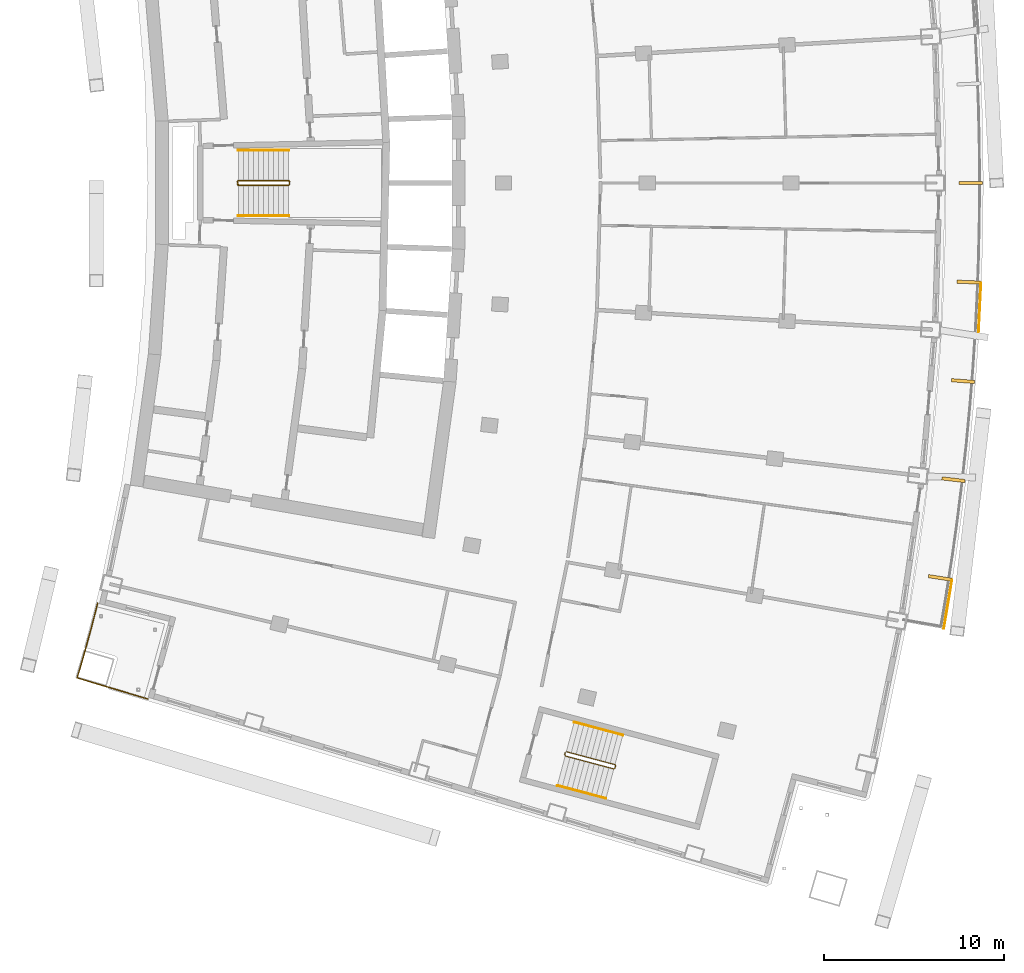
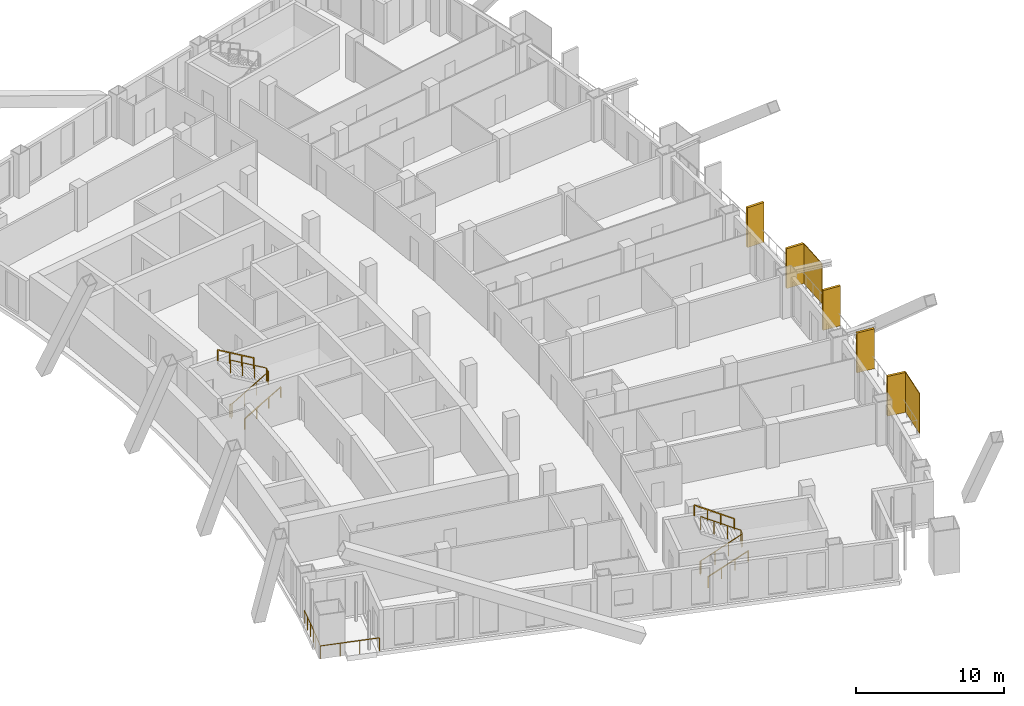
# One storey, part 18 of 20: 7 railings, 7 shading devices.
"""IFC4 building model written with IfcOpenShell, lengths in metres."""

from ifc_helpers import new_model, si_unit, direction, frame, origin, origin_with_axes, origin_2d, place, context, subcontext, project, spatial, rectangle, extrude, material, layer, layer_set, type_object, element, save


model = new_model("IFC4")

# Units and contexts
model_context = context("Model", 3, precision=1e-05, world=origin(), true_north=direction((0.0, 1.0)))
body_context = subcontext(model_context, "Body", "Model", "MODEL_VIEW")
ifc_project = project(units=[si_unit("LENGTHUNIT", "METRE"), si_unit("AREAUNIT", "SQUARE_METRE"), si_unit("VOLUMEUNIT", "CUBIC_METRE"), si_unit("PLANEANGLEUNIT", "RADIAN"), si_unit("MASSUNIT", "GRAM", prefix="KILO")], contexts=[model_context])

# Site, building, storey
site_placement = place(None, origin())
site = spatial("IfcSite", under=ifc_project, at=site_placement, CompositionType="ELEMENT")
building_placement = place(site_placement, origin())
building = spatial("IfcBuilding", under=site, at=building_placement, Name="Alderwake Tower", CompositionType="ELEMENT")
storey_placement = place(building_placement, frame((0.0, 0.0, 149.60009765625)))
storey = spatial("IfcBuildingStorey", under=building, at=storey_placement, Name="L36", CompositionType="ELEMENT", Elevation=149.60009765625)

# Railing
ifc_material_1 = material(Name="Stainless steel 316 rail and posts", Category="steel")
railing_type_1 = type_object("IfcRailingType", Name="Balcony guard 1100", PredefinedType="GUARDRAIL", material=ifc_material_1)
railing_1_placement = place(storey_placement, frame((13.210693359375, 37.612548828125, 0.0)))
element("IfcRailing", 1, at=railing_1_placement, inside=storey, type_object=railing_type_1, Name="Guard terrace RS", PredefinedType="GUARDRAIL", context=body_context, shape_type="SweptSolid", body=[
    extrude(rectangle(XDim=0.048095703125, YDim=0.048095703125, at=origin_2d()), frame((0.0, 0.0, 1.076171875), z_axis=(-0.251385381433, -0.967887075026, 0.0), x_axis=(0.967887075026, -0.251385381433, 0.0)), (0.0, 0.0, 1.0), 1.6015625),
    extrude(rectangle(XDim=0.048095703125, YDim=0.048095703125, at=origin_2d()), frame((-0.402587890625, -1.550048828125, 1.076171875), z_axis=(-0.266520638672, -0.963829211615, 0.0), x_axis=(0.963829211615, -0.266520638672, 0.0)), (0.0, 0.0, 1.0), 1.401611328125),
    extrude(rectangle(XDim=0.048095703125, YDim=0.048095703125, at=origin_2d()), frame((-0.776123046875, -2.90087890625, 1.076171875), z_axis=(-0.280093650878, -0.959972680204, 0.0), x_axis=(0.959972680204, -0.280093650878, 0.0)), (0.0, 0.0, 1.0), 1.30126953125),
    extrude(rectangle(XDim=0.048095703125, YDim=0.048095703125, at=origin_2d()), frame((-1.140625, -4.150146484375, 1.076171875), z_axis=(0.958066871889, -0.286544706789, 0.0), x_axis=(0.286544706789, 0.958066871889, 0.0)), (0.0, 0.0, 1.0), 4.099853515625),
    extrude(rectangle(XDim=0.0419921875, YDim=0.0419921875, at=origin_2d()), frame((0.0, 0.0, 0.0), z_axis=(0.0, 0.0, 1.0), x_axis=(-0.251385381433, -0.967887075026, 0.0)), (0.0, 0.0, 1.0), 1.052001953125),
    extrude(rectangle(XDim=0.0419921875, YDim=0.0419921875, at=origin_2d()), frame((-0.201171875, -0.77490234375, 0.0), z_axis=(0.0, 0.0, 1.0), x_axis=(-0.251385381433, -0.967887075026, 0.0)), (0.0, 0.0, 1.0), 1.052001953125),
    extrude(rectangle(XDim=0.0419921875, YDim=0.0419921875, at=origin_2d()), frame((-0.402587890625, -1.550048828125, 0.0), z_axis=(0.0, 0.0, 1.0), x_axis=(-0.266520638672, -0.963829211615, 0.0)), (0.0, 0.0, 1.0), 1.052001953125),
    extrude(rectangle(XDim=0.0419921875, YDim=0.0419921875, at=origin_2d()), frame((-0.58935546875, -2.2255859375, 0.0), z_axis=(0.0, 0.0, 1.0), x_axis=(-0.266520638672, -0.963829211615, 0.0)), (0.0, 0.0, 1.0), 1.052001953125),
    extrude(rectangle(XDim=0.0419921875, YDim=0.0419921875, at=origin_2d()), frame((-0.776123046875, -2.90087890625, 0.0), z_axis=(0.0, 0.0, 1.0), x_axis=(-0.280093650878, -0.959972680204, 0.0)), (0.0, 0.0, 1.0), 1.052001953125),
    extrude(rectangle(XDim=0.0419921875, YDim=0.0419921875, at=origin_2d()), frame((-1.140625, -4.150146484375, 0.0), z_axis=(0.0, 0.0, 1.0), x_axis=(0.958066871889, -0.286544706789, 0.0)), (0.0, 0.0, 1.0), 1.052001953125),
    extrude(rectangle(XDim=0.0419921875, YDim=0.0419921875, at=origin_2d()), frame((0.168701171875, -4.541748046875, 0.0), z_axis=(0.0, 0.0, 1.0), x_axis=(0.958066871889, -0.286544706789, 0.0)), (0.0, 0.0, 1.0), 1.052001953125),
    extrude(rectangle(XDim=0.0419921875, YDim=0.0419921875, at=origin_2d()), frame((1.47802734375, -4.933349609375, 0.0), z_axis=(0.0, 0.0, 1.0), x_axis=(0.958066871889, -0.286544706789, 0.0)), (0.0, 0.0, 1.0), 1.052001953125),
    extrude(rectangle(XDim=0.0419921875, YDim=0.0419921875, at=origin_2d()), frame((2.787353515625, -5.324951171875, 0.0), z_axis=(0.0, 0.0, 1.0), x_axis=(0.958066871889, -0.286544706789, 0.0)), (0.0, 0.0, 1.0), 1.052001953125),
])

# Shading devices
ifc_material_2 = material(Name="Bronze anodised aluminium", Category="aluminium")
ifc_layer_1 = layer(ifc_material_2, 0.179931640625)
ifc_layer_set_1 = layer_set([ifc_layer_1], Name="Facade fin 1300")
shading_device_type_1 = type_object("IfcShadingDeviceType", Name="Facade fin 1300", PredefinedType="USERDEFINED", material=ifc_layer_set_1)
for number, where, z_axis, x_axis, name in (
    (2, (60.0869140625, 39.02490234375, 0.0), (0.0, 0.0, 1.0), (0.987918787879, -0.154972476771, 0.0), "Fin"),
    (3, (60.83544921875, 44.489501953125, 0.0), (0.0, 0.0, 1.0), (0.993198315083, -0.116434990084, 0.0), "Fin"),
    (4, (61.37109375, 49.97900390625, 0.0), (0.0, 0.0, 1.0), (0.996975122026, -0.077721335943, 0.0), "Fin"),
    (5, (61.692626953125, 55.4853515625, 0.0), (0.0, 0.0, 1.0), (0.999243494356, -0.038890088543, 0.0), "Fin"),
    (6, (61.800048828125, 61.0, 0.0), (0.0, 0.0, 1.0), (1.0, 0.0, 0.0), "Fin"),
):
    element("IfcShadingDevice", number, at=place(storey_placement, frame(where, z_axis=z_axis, x_axis=x_axis)), inside=storey, type_object=shading_device_type_1, Name=name, ObjectType="FIN", PredefinedType="USERDEFINED", context=body_context, shape_type="SweptSolid", body=[
        extrude(rectangle(XDim=1.300048828125, YDim=0.179931640625, at=origin_2d()), origin(), (0.0, 0.0, 1.0), 3.280029296875),
    ])
ifc_material_3 = material(Name="Perforated bronze anodised aluminium", Category="aluminium")
ifc_layer_2 = layer(ifc_material_3, 0.050048828125)
ifc_layer_set_2 = layer_set([ifc_layer_2], Name="Perforated screen panel")
shading_device_type_2 = type_object("IfcShadingDeviceType", Name="Perforated screen panel", PredefinedType="USERDEFINED", material=ifc_layer_set_2)
for number, where, z_axis, x_axis, name in (
    (7, (60.5263671875, 37.55712890625, 0.0), (0.0, 0.0, 1.0), (0.986369013299, -0.164548380739, 0.0), "Screen panel"),
    (8, (62.300048828125, 54.078857421875, 0.0), (0.0, 0.0, 1.0), (0.998819231138, -0.048581308217, 0.0), "Screen panel"),
):
    element("IfcShadingDevice", number, at=place(storey_placement, frame(where, z_axis=z_axis, x_axis=x_axis)), inside=storey, type_object=shading_device_type_2, Name=name, ObjectType="SCREEN", PredefinedType="USERDEFINED", context=body_context, shape_type="SweptSolid", body=[
        extrude(rectangle(XDim=0.050048828125, YDim=2.763916015625, at=origin_2d()), origin(), (0.0, 0.0, 1.0), 3.280029296875),
    ])

# Railings
ifc_material_4 = material(Name="Stainless steel guard", Category="steel")
railing_type_2 = type_object("IfcRailingType", Name="Stair guard 1100", PredefinedType="GUARDRAIL", material=ifc_material_4)
railing_2_placement = place(storey_placement, frame((20.989990234375, 60.925048828125, 0.0)))
element("IfcRailing", 9, at=railing_2_placement, inside=storey, type_object=railing_type_2, Name="L36 ST-B stair guard 1", PredefinedType="GUARDRAIL", context=body_context, shape_type="SweptSolid", body=[
    extrude(rectangle(XDim=0.048095703125, YDim=0.048095703125, at=origin_2d()), frame((0.0, 0.0, 1.076171875), z_axis=(0.0, 1.0, 0.0), x_axis=(-1.0, 0.0, 0.0)), (0.0, 0.0, 1.0), 0.14990234375),
    extrude(rectangle(XDim=0.048095703125, YDim=0.048095703125, at=origin_2d()), frame((0.0, 0.14990234375, 1.076171875), z_axis=(0.190199549216, -0.759870394187, 0.621627795), x_axis=(0.970072785993, 0.242814311512, 0.0)), (0.0, 0.0, 1.0), 0.26318359375),
    extrude(rectangle(XDim=0.048095703125, YDim=0.048095703125, at=origin_2d()), frame((0.050048828125, -0.050048828125, 1.23974609375), z_axis=(0.863393664356, 0.0, 0.504530851732), x_axis=(0.0, 1.0, 0.0)), (0.0, 0.0, 1.0), 3.2431640625),
    extrude(rectangle(XDim=0.048095703125, YDim=0.048095703125, at=origin_2d()), frame((2.85009765625, -0.050048828125, 2.8759765625), z_axis=(0.705375805398, 0.708833529934, 0.0), x_axis=(-0.708833529934, 0.705375805398, 0.0)), (0.0, 0.0, 1.0), 0.070556640625),
    extrude(rectangle(XDim=0.048095703125, YDim=0.048095703125, at=origin_2d()), frame((2.89990234375, 0.0, 2.8759765625), z_axis=(0.0, 1.0, 0.0), x_axis=(-1.0, 0.0, 0.0)), (0.0, 0.0, 1.0), 0.14990234375),
    extrude(rectangle(XDim=0.048095703125, YDim=0.048095703125, at=origin_2d()), frame((2.89990234375, 0.14990234375, 2.8759765625), z_axis=(-0.279194930351, 0.280563532951, 0.91833234444), x_axis=(-0.708833529934, -0.705375805398, 0.0)), (0.0, 0.0, 1.0), 0.178466796875),
    extrude(rectangle(XDim=0.048095703125, YDim=0.048095703125, at=origin_2d()), frame((2.85009765625, 0.199951171875, 3.03955078125), z_axis=(-0.863393664356, 0.0, 0.504530851732), x_axis=(0.0, -1.0, 0.0)), (0.0, 0.0, 1.0), 3.2431640625),
    extrude(rectangle(XDim=0.0419921875, YDim=0.0419921875, at=origin_2d()), frame((0.0, 0.0, 0.0), z_axis=(0.0, 0.0, 1.0), x_axis=(0.0, 1.0, 0.0)), (0.0, 0.0, 1.0), 1.052001953125),
    extrude(rectangle(XDim=0.0419921875, YDim=0.0419921875, at=origin_2d()), frame((0.0, 0.14990234375, 0.0), z_axis=(0.0, 0.0, 1.0), x_axis=(0.242814311512, -0.970072785993, 0.0)), (0.0, 0.0, 1.0), 1.052001953125),
    extrude(rectangle(XDim=0.0419921875, YDim=0.0419921875, at=origin_2d()), frame((0.050048828125, -0.050048828125, 0.16357421875), z_axis=(0.0, 0.0, 1.0), x_axis=(1.0, 0.0, 0.0)), (0.0, 0.0, 1.0), 1.052001953125),
    extrude(rectangle(XDim=0.0419921875, YDim=0.0419921875, at=origin_2d()), frame((0.9833984375, -0.050048828125, 0.708984375), z_axis=(0.0, 0.0, 1.0), x_axis=(1.0, 0.0, 0.0)), (0.0, 0.0, 1.0), 1.052001953125),
    extrude(rectangle(XDim=0.0419921875, YDim=0.0419921875, at=origin_2d()), frame((1.916748046875, -0.050048828125, 1.25439453125), z_axis=(0.0, 0.0, 1.0), x_axis=(1.0, 0.0, 0.0)), (0.0, 0.0, 1.0), 1.052001953125),
    extrude(rectangle(XDim=0.0419921875, YDim=0.0419921875, at=origin_2d()), frame((2.85009765625, -0.050048828125, 1.7998046875), z_axis=(0.0, 0.0, 1.0), x_axis=(0.705375805398, 0.708833529934, 0.0)), (0.0, 0.0, 1.0), 1.052001953125),
    extrude(rectangle(XDim=0.0419921875, YDim=0.0419921875, at=origin_2d()), frame((2.89990234375, 0.0, 1.7998046875), z_axis=(0.0, 0.0, 1.0), x_axis=(0.0, 1.0, 0.0)), (0.0, 0.0, 1.0), 1.052001953125),
    extrude(rectangle(XDim=0.0419921875, YDim=0.0419921875, at=origin_2d()), frame((2.89990234375, 0.14990234375, 1.7998046875), z_axis=(0.0, 0.0, 1.0), x_axis=(-0.705375805398, 0.708833529934, 0.0)), (0.0, 0.0, 1.0), 1.052001953125),
    extrude(rectangle(XDim=0.0419921875, YDim=0.0419921875, at=origin_2d()), frame((2.85009765625, 0.199951171875, 1.963623046875), z_axis=(0.0, 0.0, 1.0), x_axis=(-1.0, 0.0, 0.0)), (0.0, 0.0, 1.0), 1.052001953125),
    extrude(rectangle(XDim=0.0419921875, YDim=0.0419921875, at=origin_2d()), frame((1.916748046875, 0.199951171875, 2.509033203125), z_axis=(0.0, 0.0, 1.0), x_axis=(-1.0, 0.0, 0.0)), (0.0, 0.0, 1.0), 1.052001953125),
    extrude(rectangle(XDim=0.0419921875, YDim=0.0419921875, at=origin_2d()), frame((0.9833984375, 0.199951171875, 3.054443359375), z_axis=(0.0, 0.0, 1.0), x_axis=(-1.0, 0.0, 0.0)), (0.0, 0.0, 1.0), 1.052001953125),
    extrude(rectangle(XDim=0.0419921875, YDim=0.0419921875, at=origin_2d()), frame((0.050048828125, 0.199951171875, 3.599853515625), z_axis=(0.0, 0.0, 1.0), x_axis=(-1.0, 0.0, 0.0)), (0.0, 0.0, 1.0), 1.052001953125),
])
railing_3_placement = place(storey_placement, frame((39.1943359375, 29.17431640625, 0.0)))
element("IfcRailing", 10, at=railing_3_placement, inside=storey, type_object=railing_type_2, Name="L36 ST-C stair guard 1", PredefinedType="GUARDRAIL", context=body_context, shape_type="SweptSolid", body=[
    extrude(rectangle(XDim=0.048095703125, YDim=0.048095703125, at=origin_2d()), frame((0.0, 0.0, 1.076171875), z_axis=(0.257459803502, 0.966289009345, 0.0), x_axis=(-0.966289009345, 0.257459803502, 0.0)), (0.0, 0.0, 1.0), 0.14990234375),
    extrude(rectangle(XDim=0.048095703125, YDim=0.048095703125, at=origin_2d()), frame((0.03857421875, 0.144775390625, 1.076171875), z_axis=(-0.012062893862, -0.783160186125, 0.621702991355), x_axis=(0.999881397308, -0.015401016783, 0.0)), (0.0, 0.0, 1.0), 0.26318359375),
    extrude(rectangle(XDim=0.048095703125, YDim=0.048095703125, at=origin_2d()), frame((0.035400390625, -0.061279296875, 1.23974609375), z_axis=(0.834313512087, -0.222222637163, 0.504517653885), x_axis=(0.257380452725, 0.966310148221, 0.0)), (0.0, 0.0, 1.0), 3.2431640625),
    extrude(rectangle(XDim=0.048095703125, YDim=0.048095703125, at=origin_2d()), frame((2.7412109375, -0.781982421875, 2.8759765625), z_axis=(0.865031189262, 0.501718089772, 0.0), x_axis=(-0.501718089772, 0.865031189262, 0.0)), (0.0, 0.0, 1.0), 0.070556640625),
    extrude(rectangle(XDim=0.048095703125, YDim=0.048095703125, at=origin_2d()), frame((2.80224609375, -0.74658203125, 2.8759765625), z_axis=(0.257055032184, 0.966396766566, 0.0), x_axis=(-0.966396766566, 0.257055032184, 0.0)), (0.0, 0.0, 1.0), 0.150146484375),
    extrude(rectangle(XDim=0.048095703125, YDim=0.048095703125, at=origin_2d()), frame((2.8408203125, -0.6015625, 2.8759765625), z_axis=(-0.198375862152, 0.343395457933, 0.918001403477), x_axis=(-0.865898279276, -0.500220121494, 0.0)), (0.0, 0.0, 1.0), 0.178466796875),
    extrude(rectangle(XDim=0.048095703125, YDim=0.048095703125, at=origin_2d()), frame((2.805419921875, -0.540283203125, 3.03955078125), z_axis=(-0.834290631165, 0.222236594766, 0.504549342183), x_axis=(-0.257402139082, -0.966304371715, 0.0)), (0.0, 0.0, 1.0), 3.242919921875),
    extrude(rectangle(XDim=0.0419921875, YDim=0.0419921875, at=origin_2d()), frame((0.0, 0.0, 0.0), z_axis=(0.0, 0.0, 1.0), x_axis=(0.257459803502, 0.966289009345, 0.0)), (0.0, 0.0, 1.0), 1.052001953125),
    extrude(rectangle(XDim=0.0419921875, YDim=0.0419921875, at=origin_2d()), frame((0.03857421875, 0.144775390625, 0.0), z_axis=(0.0, 0.0, 1.0), x_axis=(-0.015401016783, -0.999881397308, 0.0)), (0.0, 0.0, 1.0), 1.052001953125),
    extrude(rectangle(XDim=0.0419921875, YDim=0.0419921875, at=origin_2d()), frame((0.035400390625, -0.061279296875, 0.16357421875), z_axis=(0.0, 0.0, 1.0), x_axis=(0.966310148221, -0.257380452725, 0.0)), (0.0, 0.0, 1.0), 1.052001953125),
    extrude(rectangle(XDim=0.0419921875, YDim=0.0419921875, at=origin_2d()), frame((0.937255859375, -0.301513671875, 0.708984375), z_axis=(0.0, 0.0, 1.0), x_axis=(0.966310148221, -0.257380452725, 0.0)), (0.0, 0.0, 1.0), 1.052001953125),
    extrude(rectangle(XDim=0.0419921875, YDim=0.0419921875, at=origin_2d()), frame((1.83935546875, -0.541748046875, 1.25439453125), z_axis=(0.0, 0.0, 1.0), x_axis=(0.966310148221, -0.257380452725, 0.0)), (0.0, 0.0, 1.0), 1.052001953125),
    extrude(rectangle(XDim=0.0419921875, YDim=0.0419921875, at=origin_2d()), frame((2.7412109375, -0.781982421875, 1.7998046875), z_axis=(0.0, 0.0, 1.0), x_axis=(0.865031189262, 0.501718089772, 0.0)), (0.0, 0.0, 1.0), 1.052001953125),
    extrude(rectangle(XDim=0.0419921875, YDim=0.0419921875, at=origin_2d()), frame((2.80224609375, -0.74658203125, 1.7998046875), z_axis=(0.0, 0.0, 1.0), x_axis=(0.257055032184, 0.966396766566, 0.0)), (0.0, 0.0, 1.0), 1.052001953125),
    extrude(rectangle(XDim=0.0419921875, YDim=0.0419921875, at=origin_2d()), frame((2.8408203125, -0.6015625, 1.7998046875), z_axis=(0.0, 0.0, 1.0), x_axis=(-0.500220121494, 0.865898279276, 0.0)), (0.0, 0.0, 1.0), 1.052001953125),
    extrude(rectangle(XDim=0.0419921875, YDim=0.0419921875, at=origin_2d()), frame((2.805419921875, -0.540283203125, 1.963623046875), z_axis=(0.0, 0.0, 1.0), x_axis=(-0.966304371715, 0.257402139082, 0.0)), (0.0, 0.0, 1.0), 1.052001953125),
    extrude(rectangle(XDim=0.0419921875, YDim=0.0419921875, at=origin_2d()), frame((1.903564453125, -0.300048828125, 2.509033203125), z_axis=(0.0, 0.0, 1.0), x_axis=(-0.966304371715, 0.257402139082, 0.0)), (0.0, 0.0, 1.0), 1.052001953125),
    extrude(rectangle(XDim=0.0419921875, YDim=0.0419921875, at=origin_2d()), frame((1.001708984375, -0.059814453125, 3.054443359375), z_axis=(0.0, 0.0, 1.0), x_axis=(-0.966304371715, 0.257402139082, 0.0)), (0.0, 0.0, 1.0), 1.052001953125),
    extrude(rectangle(XDim=0.0419921875, YDim=0.0419921875, at=origin_2d()), frame((0.099853515625, 0.180419921875, 3.599853515625), z_axis=(0.0, 0.0, 1.0), x_axis=(-0.966304371715, 0.257402139082, 0.0)), (0.0, 0.0, 1.0), 1.052001953125),
])
ifc_material_5 = material(Name="Stainless steel handrail", Category="steel")
railing_type_3 = type_object("IfcRailingType", Name="Stair handrail 900", PredefinedType="HANDRAIL", material=ifc_material_5)
railing_4_placement = place(storey_placement, frame((21.0400390625, 59.175048828125, 0.16357421875)))
element("IfcRailing", 11, at=railing_4_placement, inside=storey, type_object=railing_type_3, Name="L36 ST-B stair handrail 1", PredefinedType="HANDRAIL", context=body_context, shape_type="SweptSolid", body=[
    extrude(rectangle(XDim=0.048095703125, YDim=0.048095703125, at=origin_2d()), frame((0.0, 0.0, 0.8759765625), z_axis=(0.863393664356, 0.0, 0.504530851732), x_axis=(0.0, 1.0, 0.0)), (0.0, 0.0, 1.0), 3.2431640625),
    extrude(rectangle(XDim=0.0419921875, YDim=0.0419921875, at=origin_2d()), origin_with_axes(), (0.0, 0.0, 1.0), 0.851806640625),
    extrude(rectangle(XDim=0.0419921875, YDim=0.0419921875, at=origin_2d()), frame((0.933349609375, 0.0, 0.54541015625), z_axis=(0.0, 0.0, 1.0), x_axis=(1.0, 0.0, 0.0)), (0.0, 0.0, 1.0), 0.851806640625),
    extrude(rectangle(XDim=0.0419921875, YDim=0.0419921875, at=origin_2d()), frame((1.86669921875, 0.0, 1.0908203125), z_axis=(0.0, 0.0, 1.0), x_axis=(1.0, 0.0, 0.0)), (0.0, 0.0, 1.0), 0.851806640625),
    extrude(rectangle(XDim=0.0419921875, YDim=0.0419921875, at=origin_2d()), frame((2.800048828125, 0.0, 1.63623046875), z_axis=(0.0, 0.0, 1.0), x_axis=(1.0, 0.0, 0.0)), (0.0, 0.0, 1.0), 0.851806640625),
])
railing_5_placement = place(storey_placement, frame((23.840087890625, 62.824951171875, 1.963623046875)))
element("IfcRailing", 12, at=railing_5_placement, inside=storey, type_object=railing_type_3, Name="L36 ST-B stair handrail 2", PredefinedType="HANDRAIL", context=body_context, shape_type="SweptSolid", body=[
    extrude(rectangle(XDim=0.048095703125, YDim=0.048095703125, at=origin_2d()), frame((0.0, 0.0, 0.8759765625), z_axis=(-0.863393664356, 0.0, 0.504530851732), x_axis=(0.0, -1.0, 0.0)), (0.0, 0.0, 1.0), 3.2431640625),
    extrude(rectangle(XDim=0.0419921875, YDim=0.0419921875, at=origin_2d()), frame((0.0, 0.0, 0.0), z_axis=(0.0, 0.0, 1.0), x_axis=(-1.0, 0.0, 0.0)), (0.0, 0.0, 1.0), 0.851806640625),
    extrude(rectangle(XDim=0.0419921875, YDim=0.0419921875, at=origin_2d()), frame((-0.933349609375, 0.0, 0.54541015625), z_axis=(0.0, 0.0, 1.0), x_axis=(-1.0, 0.0, 0.0)), (0.0, 0.0, 1.0), 0.851806640625),
    extrude(rectangle(XDim=0.0419921875, YDim=0.0419921875, at=origin_2d()), frame((-1.86669921875, 0.0, 1.0908203125), z_axis=(0.0, 0.0, 1.0), x_axis=(-1.0, 0.0, 0.0)), (0.0, 0.0, 1.0), 0.851806640625),
    extrude(rectangle(XDim=0.0419921875, YDim=0.0419921875, at=origin_2d()), frame((-2.800048828125, 0.0, 1.63623046875), z_axis=(0.0, 0.0, 1.0), x_axis=(-1.0, 0.0, 0.0)), (0.0, 0.0, 1.0), 0.851806640625),
])
railing_6_placement = place(storey_placement, frame((38.792236328125, 27.47021484375, 0.16357421875)))
element("IfcRailing", 13, at=railing_6_placement, inside=storey, type_object=railing_type_3, Name="L36 ST-C stair handrail 1", PredefinedType="HANDRAIL", context=body_context, shape_type="SweptSolid", body=[
    extrude(rectangle(XDim=0.048095703125, YDim=0.048095703125, at=origin_2d()), frame((0.0, 0.0, 0.8759765625), z_axis=(0.834304587439, -0.222165027751, 0.504557782442), x_axis=(0.25732071773, 0.966326056891, 0.0)), (0.0, 0.0, 1.0), 3.242919921875),
    extrude(rectangle(XDim=0.0419921875, YDim=0.0419921875, at=origin_2d()), frame((0.0, 0.0, 0.0), z_axis=(0.0, 0.0, 1.0), x_axis=(0.966326056891, -0.25732071773, 0.0)), (0.0, 0.0, 1.0), 0.851806640625),
    extrude(rectangle(XDim=0.0419921875, YDim=0.0419921875, at=origin_2d()), frame((0.90185546875, -0.240234375, 0.54541015625), z_axis=(0.0, 0.0, 1.0), x_axis=(0.966326056891, -0.25732071773, 0.0)), (0.0, 0.0, 1.0), 0.851806640625),
    extrude(rectangle(XDim=0.0419921875, YDim=0.0419921875, at=origin_2d()), frame((1.8037109375, -0.480224609375, 1.0908203125), z_axis=(0.0, 0.0, 1.0), x_axis=(0.966326056891, -0.25732071773, 0.0)), (0.0, 0.0, 1.0), 0.851806640625),
    extrude(rectangle(XDim=0.0419921875, YDim=0.0419921875, at=origin_2d()), frame((2.70556640625, -0.720458984375, 1.63623046875), z_axis=(0.0, 0.0, 1.0), x_axis=(0.966326056891, -0.25732071773, 0.0)), (0.0, 0.0, 1.0), 0.851806640625),
])
railing_7_placement = place(storey_placement, frame((42.437255859375, 30.276611328125, 1.963623046875)))
element("IfcRailing", 14, at=railing_7_placement, inside=storey, type_object=railing_type_3, Name="L36 ST-C stair handrail 2", PredefinedType="HANDRAIL", context=body_context, shape_type="SweptSolid", body=[
    extrude(rectangle(XDim=0.048095703125, YDim=0.048095703125, at=origin_2d()), frame((0.0, 0.0, 0.8759765625), z_axis=(-0.834290631165, 0.222236594766, 0.504549342183), x_axis=(-0.257402139082, -0.966304371715, 0.0)), (0.0, 0.0, 1.0), 3.242919921875),
    extrude(rectangle(XDim=0.0419921875, YDim=0.0419921875, at=origin_2d()), frame((0.0, 0.0, 0.0), z_axis=(0.0, 0.0, 1.0), x_axis=(-0.966304371715, 0.257402139082, 0.0)), (0.0, 0.0, 1.0), 0.851806640625),
    extrude(rectangle(XDim=0.0419921875, YDim=0.0419921875, at=origin_2d()), frame((-0.90185546875, 0.240234375, 0.54541015625), z_axis=(0.0, 0.0, 1.0), x_axis=(-0.966304371715, 0.257402139082, 0.0)), (0.0, 0.0, 1.0), 0.851806640625),
    extrude(rectangle(XDim=0.0419921875, YDim=0.0419921875, at=origin_2d()), frame((-1.8037109375, 0.48046875, 1.0908203125), z_axis=(0.0, 0.0, 1.0), x_axis=(-0.966304371715, 0.257402139082, 0.0)), (0.0, 0.0, 1.0), 0.851806640625),
    extrude(rectangle(XDim=0.0419921875, YDim=0.0419921875, at=origin_2d()), frame((-2.70556640625, 0.720703125, 1.63623046875), z_axis=(0.0, 0.0, 1.0), x_axis=(-0.966304371715, 0.257402139082, 0.0)), (0.0, 0.0, 1.0), 0.851806640625),
])

save(model, "model.ifc")
